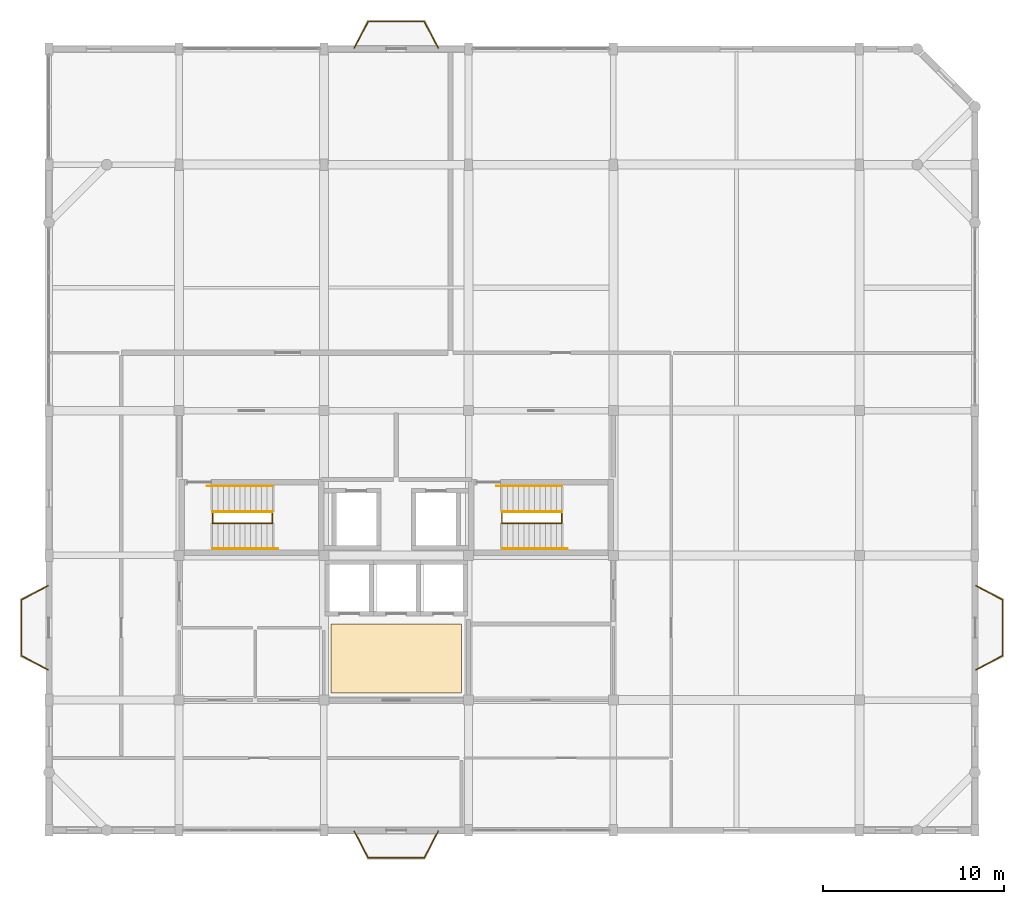
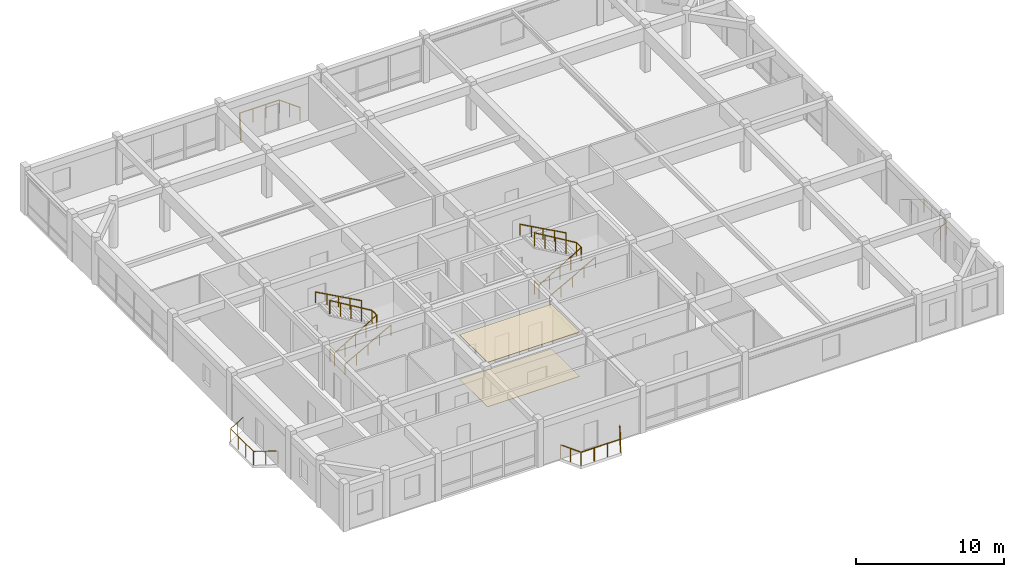
# One storey, part 13 of 13: 12 railings, 2 coverings.
"""IFC4 building model written with IfcOpenShell, lengths in metres."""

from ifc_helpers import new_model, si_unit, direction, frame, origin, origin_2d, place, context, subcontext, project, spatial, polyline, circle, outline, extrude, material, layer, layer_set, type_object, element, save


model = new_model("IFC4")

# Units and contexts
model_context = context("Model", 3, precision=1e-05, world=origin(), true_north=direction((0.0, 1.0)))
body_context = subcontext(model_context, "Body", "Model", "MODEL_VIEW")
ifc_project = project(units=[si_unit("LENGTHUNIT", "METRE"), si_unit("AREAUNIT", "SQUARE_METRE"), si_unit("VOLUMEUNIT", "CUBIC_METRE"), si_unit("PLANEANGLEUNIT", "RADIAN"), si_unit("MASSUNIT", "GRAM", prefix="KILO")], contexts=[model_context])

# Site, building, storey
site_placement = place(None, origin())
site = spatial("IfcSite", under=ifc_project, at=site_placement, CompositionType="ELEMENT")
building_placement = place(site_placement, origin())
building = spatial("IfcBuilding", under=site, at=building_placement, Name="Vellmiral Cinema and Media Centre", CompositionType="ELEMENT")
storey_placement = place(building_placement, frame((0.0, 0.0, 58.699951171875)))
storey = spatial("IfcBuildingStorey", under=building, at=storey_placement, Name="L14", CompositionType="ELEMENT", Elevation=58.699951171875)

# Coverings
ifc_material_1 = material(Name="Micro-Perforated Acoustic Gypsum Ceiling")
ifc_layer_1 = layer(ifc_material_1, 0.0400390625, Name="Micro-Perforated Acoustic Gypsum Ceiling")
ifc_layer_set_1 = layer_set([ifc_layer_1], Name="Micro-Perforated Acoustic Gypsum Ceiling")
covering_type_1 = type_object("IfcCoveringType", Name="COV-AC-CEILING", PredefinedType="CEILING", material=ifc_layer_set_1)
covering_1_placement = place(storey_placement, frame((0.0, 0.0, 3.670166015625)))
element("IfcCovering", 1, at=covering_1_placement, inside=storey, type_object=covering_type_1, Name="Acoustic Lobby Ceiling L14", PredefinedType="CEILING", context=body_context, shape_type="SweptSolid", body=[
    extrude(outline(polyline([(132.39990234375, 79.60009765625), (139.60009765625, 79.60009765625), (139.60009765625, 83.39990234375), (132.39990234375, 83.39990234375), (132.39990234375, 79.60009765625)])), origin(), (0.0, 0.0, 1.0), 0.039794921875),
])
ifc_material_2 = material(Name="Honed Terrazzo Acoustic Floor Finish")
ifc_layer_2 = layer(ifc_material_2, 0.030029296875, Name="Honed Terrazzo Acoustic Floor Finish")
ifc_layer_set_2 = layer_set([ifc_layer_2], Name="Honed Terrazzo Acoustic Floor Finish")
covering_type_2 = type_object("IfcCoveringType", Name="COV-TERR-FLOORING", PredefinedType="FLOORING", material=ifc_layer_set_2)
covering_2_placement = place(storey_placement, origin())
element("IfcCovering", 2, at=covering_2_placement, inside=storey, type_object=covering_type_2, Name="Terrazzo Lobby Flooring L14", PredefinedType="FLOORING", context=body_context, shape_type="SweptSolid", body=[
    extrude(outline(polyline([(132.39990234375, 79.60009765625), (139.60009765625, 79.60009765625), (139.60009765625, 83.39990234375), (132.39990234375, 83.39990234375), (132.39990234375, 79.60009765625)])), origin(), (0.0, 0.0, 1.0), 0.030029296875),
])

# Railings
ifc_material_3 = material(Name="Forged Wrought-Iron Mirador Guardrail", Category="steel")
railing_type_1 = type_object("IfcRailingType", Name="RL-BAL-MIRA-1120", PredefinedType="BALUSTRADE", material=ifc_material_3)
railing_1_placement = place(storey_placement, frame((168.050048828125, 80.8798828125, 0.0)))
element("IfcRailing", 3, at=railing_1_placement, inside=storey, type_object=railing_type_1, Name="Mirador Balcony Guardrail L14-E", PredefinedType="BALUSTRADE", context=body_context, shape_type="SweptSolid", body=[
    extrude(circle(Radius=0.02392578125, at=origin_2d()), frame((0.0, 0.0, 1.09619140625), z_axis=(0.885822896277, 0.464023486939, 0.0), x_axis=(-0.464023486939, 0.885822896277, 0.0)), (0.0, 0.0, 1.0), 1.659423828125),
    extrude(circle(Radius=0.02392578125, at=origin_2d()), frame((1.469970703125, 0.77001953125, 1.09619140625), z_axis=(0.0, 1.0, 0.0), x_axis=(-1.0, 0.0, 0.0)), (0.0, 0.0, 1.0), 3.10009765625),
    extrude(circle(Radius=0.02392578125, at=origin_2d()), frame((1.469970703125, 3.8701171875, 1.09619140625), z_axis=(-0.885822896277, 0.464023486939, 0.0), x_axis=(-0.464023486939, -0.885822896277, 0.0)), (0.0, 0.0, 1.0), 1.659423828125),
    extrude(circle(Radius=0.02099609375, at=origin_2d()), origin(), (0.0, 0.0, 1.0), 1.072021484375),
    extrude(circle(Radius=0.02099609375, at=origin_2d()), frame((0.73486328125, 0.385009765625, 0.0)), (0.0, 0.0, 1.0), 1.072021484375),
    extrude(circle(Radius=0.02099609375, at=origin_2d()), frame((1.469970703125, 0.77001953125, 0.0)), (0.0, 0.0, 1.0), 1.072021484375),
    extrude(circle(Radius=0.02099609375, at=origin_2d()), frame((1.469970703125, 1.803466796875, 0.0)), (0.0, 0.0, 1.0), 1.072021484375),
    extrude(circle(Radius=0.02099609375, at=origin_2d()), frame((1.469970703125, 2.836669921875, 0.0)), (0.0, 0.0, 1.0), 1.072021484375),
    extrude(circle(Radius=0.02099609375, at=origin_2d()), frame((1.469970703125, 3.8701171875, 0.0)), (0.0, 0.0, 1.0), 1.072021484375),
    extrude(circle(Radius=0.02099609375, at=origin_2d()), frame((0.73486328125, 4.255126953125, 0.0)), (0.0, 0.0, 1.0), 1.072021484375),
    extrude(circle(Radius=0.02099609375, at=origin_2d()), frame((0.0, 4.64013671875, 0.0)), (0.0, 0.0, 1.0), 1.072021484375),
])
railing_2_placement = place(storey_placement, frame((138.320068359375, 115.25, 0.0)))
element("IfcRailing", 4, at=railing_2_placement, inside=storey, type_object=railing_type_1, Name="Mirador Balcony Guardrail L14-N", PredefinedType="BALUSTRADE", context=body_context, shape_type="SweptSolid", body=[
    extrude(circle(Radius=0.02392578125, at=origin_2d()), frame((0.0, 0.0, 1.09619140625), z_axis=(-0.464023486939, 0.885822896277, 0.0), x_axis=(-0.885822896277, -0.464023486939, 0.0)), (0.0, 0.0, 1.0), 1.659423828125),
    extrude(circle(Radius=0.02392578125, at=origin_2d()), frame((-0.77001953125, 1.469970703125, 1.09619140625), z_axis=(-1.0, 0.0, 0.0), x_axis=(0.0, -1.0, 0.0)), (0.0, 0.0, 1.0), 3.10009765625),
    extrude(circle(Radius=0.02392578125, at=origin_2d()), frame((-3.8701171875, 1.469970703125, 1.09619140625), z_axis=(-0.464023486939, -0.885822896277, 0.0), x_axis=(0.885822896277, -0.464023486939, 0.0)), (0.0, 0.0, 1.0), 1.659423828125),
    extrude(circle(Radius=0.02099609375, at=origin_2d()), origin(), (0.0, 0.0, 1.0), 1.072021484375),
    extrude(circle(Radius=0.02099609375, at=origin_2d()), frame((-0.385009765625, 0.73486328125, 0.0)), (0.0, 0.0, 1.0), 1.072021484375),
    extrude(circle(Radius=0.02099609375, at=origin_2d()), frame((-0.77001953125, 1.469970703125, 0.0)), (0.0, 0.0, 1.0), 1.072021484375),
    extrude(circle(Radius=0.02099609375, at=origin_2d()), frame((-1.803466796875, 1.469970703125, 0.0)), (0.0, 0.0, 1.0), 1.072021484375),
    extrude(circle(Radius=0.02099609375, at=origin_2d()), frame((-2.836669921875, 1.469970703125, 0.0)), (0.0, 0.0, 1.0), 1.072021484375),
    extrude(circle(Radius=0.02099609375, at=origin_2d()), frame((-3.8701171875, 1.469970703125, 0.0)), (0.0, 0.0, 1.0), 1.072021484375),
    extrude(circle(Radius=0.02099609375, at=origin_2d()), frame((-4.255126953125, 0.73486328125, 0.0)), (0.0, 0.0, 1.0), 1.072021484375),
    extrude(circle(Radius=0.02099609375, at=origin_2d()), frame((-4.64013671875, 0.0, 0.0)), (0.0, 0.0, 1.0), 1.072021484375),
])
railing_3_placement = place(storey_placement, frame((116.75, 85.52001953125, 0.0)))
element("IfcRailing", 5, at=railing_3_placement, inside=storey, type_object=railing_type_1, Name="Mirador Balcony Guardrail L14-W", PredefinedType="BALUSTRADE", context=body_context, shape_type="SweptSolid", body=[
    extrude(circle(Radius=0.02392578125, at=origin_2d()), frame((0.0, 0.0, 1.09619140625), z_axis=(-0.885822896277, -0.464023486939, 0.0), x_axis=(0.464023486939, -0.885822896277, 0.0)), (0.0, 0.0, 1.0), 1.659423828125),
    extrude(circle(Radius=0.02392578125, at=origin_2d()), frame((-1.469970703125, -0.77001953125, 1.09619140625), z_axis=(0.0, -1.0, 0.0), x_axis=(1.0, 0.0, 0.0)), (0.0, 0.0, 1.0), 3.10009765625),
    extrude(circle(Radius=0.02392578125, at=origin_2d()), frame((-1.469970703125, -3.8701171875, 1.09619140625), z_axis=(0.885822896277, -0.464023486939, 0.0), x_axis=(0.464023486939, 0.885822896277, 0.0)), (0.0, 0.0, 1.0), 1.659423828125),
    extrude(circle(Radius=0.02099609375, at=origin_2d()), origin(), (0.0, 0.0, 1.0), 1.072021484375),
    extrude(circle(Radius=0.02099609375, at=origin_2d()), frame((-0.73486328125, -0.385009765625, 0.0)), (0.0, 0.0, 1.0), 1.072021484375),
    extrude(circle(Radius=0.02099609375, at=origin_2d()), frame((-1.469970703125, -0.77001953125, 0.0)), (0.0, 0.0, 1.0), 1.072021484375),
    extrude(circle(Radius=0.02099609375, at=origin_2d()), frame((-1.469970703125, -1.803466796875, 0.0)), (0.0, 0.0, 1.0), 1.072021484375),
    extrude(circle(Radius=0.02099609375, at=origin_2d()), frame((-1.469970703125, -2.836669921875, 0.0)), (0.0, 0.0, 1.0), 1.072021484375),
    extrude(circle(Radius=0.02099609375, at=origin_2d()), frame((-1.469970703125, -3.8701171875, 0.0)), (0.0, 0.0, 1.0), 1.072021484375),
    extrude(circle(Radius=0.02099609375, at=origin_2d()), frame((-0.73486328125, -4.255126953125, 0.0)), (0.0, 0.0, 1.0), 1.072021484375),
    extrude(circle(Radius=0.02099609375, at=origin_2d()), frame((0.0, -4.64013671875, 0.0)), (0.0, 0.0, 1.0), 1.072021484375),
])
railing_4_placement = place(storey_placement, frame((133.679931640625, 71.949951171875, 0.0)))
element("IfcRailing", 6, at=railing_4_placement, inside=storey, type_object=railing_type_1, Name="Mirador Balcony Guardrail L14-S", PredefinedType="BALUSTRADE", context=body_context, shape_type="SweptSolid", body=[
    extrude(circle(Radius=0.02392578125, at=origin_2d()), frame((0.0, 0.0, 1.09619140625), z_axis=(0.464023486939, -0.885822896277, 0.0), x_axis=(0.885822896277, 0.464023486939, 0.0)), (0.0, 0.0, 1.0), 1.659423828125),
    extrude(circle(Radius=0.02392578125, at=origin_2d()), frame((0.77001953125, -1.469970703125, 1.09619140625), z_axis=(1.0, 0.0, 0.0), x_axis=(0.0, 1.0, 0.0)), (0.0, 0.0, 1.0), 3.10009765625),
    extrude(circle(Radius=0.02392578125, at=origin_2d()), frame((3.8701171875, -1.469970703125, 1.09619140625), z_axis=(0.464023486939, 0.885822896277, 0.0), x_axis=(-0.885822896277, 0.464023486939, 0.0)), (0.0, 0.0, 1.0), 1.659423828125),
    extrude(circle(Radius=0.02099609375, at=origin_2d()), origin(), (0.0, 0.0, 1.0), 1.072021484375),
    extrude(circle(Radius=0.02099609375, at=origin_2d()), frame((0.385009765625, -0.73486328125, 0.0)), (0.0, 0.0, 1.0), 1.072021484375),
    extrude(circle(Radius=0.02099609375, at=origin_2d()), frame((0.77001953125, -1.469970703125, 0.0)), (0.0, 0.0, 1.0), 1.072021484375),
    extrude(circle(Radius=0.02099609375, at=origin_2d()), frame((1.803466796875, -1.469970703125, 0.0)), (0.0, 0.0, 1.0), 1.072021484375),
    extrude(circle(Radius=0.02099609375, at=origin_2d()), frame((2.836669921875, -1.469970703125, 0.0)), (0.0, 0.0, 1.0), 1.072021484375),
    extrude(circle(Radius=0.02099609375, at=origin_2d()), frame((3.8701171875, -1.469970703125, 0.0)), (0.0, 0.0, 1.0), 1.072021484375),
    extrude(circle(Radius=0.02099609375, at=origin_2d()), frame((4.255126953125, -0.73486328125, 0.0)), (0.0, 0.0, 1.0), 1.072021484375),
    extrude(circle(Radius=0.02099609375, at=origin_2d()), frame((4.64013671875, 0.0, 0.0)), (0.0, 0.0, 1.0), 1.072021484375),
])
ifc_material_4 = material(Name="Brushed Stainless Steel Handrail", Category="steel")
railing_type_2 = type_object("IfcRailingType", Name="RL-HANDRAIL-900", PredefinedType="HANDRAIL", material=ifc_material_4)
railing_5_placement = place(storey_placement, frame((125.85009765625, 87.56005859375, 0.16455078125)))
element("IfcRailing", 7, at=railing_5_placement, inside=storey, type_object=railing_type_2, Name="Stair Wall Handrail ST-T1 L14-1", PredefinedType="HANDRAIL", context=body_context, shape_type="SweptSolid", body=[
    extrude(circle(Radius=0.02392578125, at=origin_2d()), frame((0.0, 0.0, 0.8759765625), z_axis=(0.87671131034, 0.0, 0.481016921034), x_axis=(0.0, 1.0, 0.0)), (0.0, 0.0, 1.0), 4.106201171875),
    extrude(circle(Radius=0.02099609375, at=origin_2d()), origin(), (0.0, 0.0, 1.0), 0.851806640625),
    extrude(circle(Radius=0.02099609375, at=origin_2d()), frame((0.89990234375, 0.0, 0.49365234375)), (0.0, 0.0, 1.0), 0.851806640625),
    extrude(circle(Radius=0.02099609375, at=origin_2d()), frame((1.7998046875, 0.0, 0.987548828125)), (0.0, 0.0, 1.0), 0.851806640625),
    extrude(circle(Radius=0.02099609375, at=origin_2d()), frame((2.699951171875, 0.0, 1.4814453125)), (0.0, 0.0, 1.0), 0.851806640625),
    extrude(circle(Radius=0.02099609375, at=origin_2d()), frame((3.599853515625, 0.0, 1.97509765625)), (0.0, 0.0, 1.0), 0.851806640625),
])
railing_6_placement = place(storey_placement, frame((129.14990234375, 91.0400390625, 2.1396484375)))
element("IfcRailing", 8, at=railing_6_placement, inside=storey, type_object=railing_type_2, Name="Stair Wall Handrail ST-T1 L14-2", PredefinedType="HANDRAIL", context=body_context, shape_type="SweptSolid", body=[
    extrude(circle(Radius=0.02392578125, at=origin_2d()), frame((0.0, 0.0, 0.8759765625), z_axis=(-0.87671131034, 0.0, 0.481016921034), x_axis=(0.0, -1.0, 0.0)), (0.0, 0.0, 1.0), 4.106201171875),
    extrude(circle(Radius=0.02099609375, at=origin_2d()), origin(), (0.0, 0.0, 1.0), 0.851806640625),
    extrude(circle(Radius=0.02099609375, at=origin_2d()), frame((-0.89990234375, 0.0, 0.49365234375)), (0.0, 0.0, 1.0), 0.851806640625),
    extrude(circle(Radius=0.02099609375, at=origin_2d()), frame((-1.7998046875, 0.0, 0.987548828125)), (0.0, 0.0, 1.0), 0.851806640625),
    extrude(circle(Radius=0.02099609375, at=origin_2d()), frame((-2.699951171875, 0.0, 1.4814453125)), (0.0, 0.0, 1.0), 0.851806640625),
    extrude(circle(Radius=0.02099609375, at=origin_2d()), frame((-3.599853515625, 0.0, 1.97509765625)), (0.0, 0.0, 1.0), 0.851806640625),
])
railing_7_placement = place(storey_placement, frame((141.85009765625, 87.56005859375, 0.16455078125)))
element("IfcRailing", 9, at=railing_7_placement, inside=storey, type_object=railing_type_2, Name="Stair Wall Handrail ST-T2 L14-1", PredefinedType="HANDRAIL", context=body_context, shape_type="SweptSolid", body=[
    extrude(circle(Radius=0.02392578125, at=origin_2d()), frame((0.0, 0.0, 0.8759765625), z_axis=(0.87671131034, 0.0, 0.481016921034), x_axis=(0.0, 1.0, 0.0)), (0.0, 0.0, 1.0), 4.106201171875),
    extrude(circle(Radius=0.02099609375, at=origin_2d()), origin(), (0.0, 0.0, 1.0), 0.851806640625),
    extrude(circle(Radius=0.02099609375, at=origin_2d()), frame((0.89990234375, 0.0, 0.49365234375)), (0.0, 0.0, 1.0), 0.851806640625),
    extrude(circle(Radius=0.02099609375, at=origin_2d()), frame((1.7998046875, 0.0, 0.987548828125)), (0.0, 0.0, 1.0), 0.851806640625),
    extrude(circle(Radius=0.02099609375, at=origin_2d()), frame((2.699951171875, 0.0, 1.4814453125)), (0.0, 0.0, 1.0), 0.851806640625),
    extrude(circle(Radius=0.02099609375, at=origin_2d()), frame((3.599853515625, 0.0, 1.97509765625)), (0.0, 0.0, 1.0), 0.851806640625),
])
railing_8_placement = place(storey_placement, frame((145.14990234375, 91.0400390625, 2.1396484375)))
element("IfcRailing", 10, at=railing_8_placement, inside=storey, type_object=railing_type_2, Name="Stair Wall Handrail ST-T2 L14-2", PredefinedType="HANDRAIL", context=body_context, shape_type="SweptSolid", body=[
    extrude(circle(Radius=0.02392578125, at=origin_2d()), frame((0.0, 0.0, 0.8759765625), z_axis=(-0.87671131034, 0.0, 0.481016921034), x_axis=(0.0, -1.0, 0.0)), (0.0, 0.0, 1.0), 4.106201171875),
    extrude(circle(Radius=0.02099609375, at=origin_2d()), origin(), (0.0, 0.0, 1.0), 0.851806640625),
    extrude(circle(Radius=0.02099609375, at=origin_2d()), frame((-0.89990234375, 0.0, 0.49365234375)), (0.0, 0.0, 1.0), 0.851806640625),
    extrude(circle(Radius=0.02099609375, at=origin_2d()), frame((-1.7998046875, 0.0, 0.987548828125)), (0.0, 0.0, 1.0), 0.851806640625),
    extrude(circle(Radius=0.02099609375, at=origin_2d()), frame((-2.699951171875, 0.0, 1.4814453125)), (0.0, 0.0, 1.0), 0.851806640625),
    extrude(circle(Radius=0.02099609375, at=origin_2d()), frame((-3.599853515625, 0.0, 1.97509765625)), (0.0, 0.0, 1.0), 0.851806640625),
])
ifc_material_5 = material(Name="Painted Steel Stair Guardrail", Category="steel")
railing_type_3 = type_object("IfcRailingType", Name="RL-STAIR-GUARD-1120", PredefinedType="GUARDRAIL", material=ifc_material_5)
railing_9_placement = place(storey_placement, frame((125.85009765625, 89.580078125, 0.0)))
element("IfcRailing", 11, at=railing_9_placement, inside=storey, type_object=railing_type_3, Name="Stair Well Guard ST-T1 L14-A", PredefinedType="GUARDRAIL", context=body_context, shape_type="SweptSolid", body=[
    extrude(circle(Radius=0.02392578125, at=origin_2d()), frame((0.0, 0.0, 1.09619140625), z_axis=(0.0, -1.0, 0.0), x_axis=(1.0, 0.0, 0.0)), (0.0, 0.0, 1.0), 0.60009765625),
    extrude(circle(Radius=0.02392578125, at=origin_2d()), frame((0.0, -0.60009765625, 1.09619140625), z_axis=(0.858041382162, 0.0, 0.513580555023), x_axis=(0.0, 1.0, 0.0)), (0.0, 0.0, 1.0), 3.845703125),
    extrude(circle(Radius=0.02392578125, at=origin_2d()), frame((3.2998046875, -0.60009765625, 3.0712890625), z_axis=(0.0, 1.0, 0.0), x_axis=(-1.0, 0.0, 0.0)), (0.0, 0.0, 1.0), 0.64013671875),
    extrude(circle(Radius=0.02099609375, at=origin_2d()), origin(), (0.0, 0.0, 1.0), 1.072021484375),
    extrude(circle(Radius=0.02099609375, at=origin_2d()), frame((0.0, -0.60009765625, 0.0)), (0.0, 0.0, 1.0), 1.072021484375),
    extrude(circle(Radius=0.02099609375, at=origin_2d()), frame((0.824951171875, -0.60009765625, 0.49365234375)), (0.0, 0.0, 1.0), 1.072021484375),
    extrude(circle(Radius=0.02099609375, at=origin_2d()), frame((1.64990234375, -0.60009765625, 0.987548828125)), (0.0, 0.0, 1.0), 1.072021484375),
    extrude(circle(Radius=0.02099609375, at=origin_2d()), frame((2.474853515625, -0.60009765625, 1.4814453125)), (0.0, 0.0, 1.0), 1.072021484375),
    extrude(circle(Radius=0.02099609375, at=origin_2d()), frame((3.2998046875, -0.60009765625, 1.97509765625)), (0.0, 0.0, 1.0), 1.072021484375),
    extrude(circle(Radius=0.02099609375, at=origin_2d()), frame((3.2998046875, 0.0400390625, 1.97509765625)), (0.0, 0.0, 1.0), 1.072021484375),
])
railing_10_placement = place(storey_placement, frame((129.14990234375, 89.6201171875, 1.97509765625)))
element("IfcRailing", 12, at=railing_10_placement, inside=storey, type_object=railing_type_3, Name="Stair Well Guard ST-T1 L14-B", PredefinedType="GUARDRAIL", context=body_context, shape_type="SweptSolid", body=[
    extrude(circle(Radius=0.02392578125, at=origin_2d()), frame((0.0, 0.0, 1.09619140625), z_axis=(-0.858069357237, 0.0, 0.513533814049), x_axis=(0.0, -1.0, 0.0)), (0.0, 0.0, 1.0), 3.845703125),
    extrude(circle(Radius=0.02099609375, at=origin_2d()), origin(), (0.0, 0.0, 1.0), 1.072021484375),
    extrude(circle(Radius=0.02099609375, at=origin_2d()), frame((-0.824951171875, 0.0, 0.49365234375)), (0.0, 0.0, 1.0), 1.072021484375),
    extrude(circle(Radius=0.02099609375, at=origin_2d()), frame((-1.64990234375, 0.0, 0.9873046875)), (0.0, 0.0, 1.0), 1.072021484375),
    extrude(circle(Radius=0.02099609375, at=origin_2d()), frame((-2.474853515625, 0.0, 1.481201171875)), (0.0, 0.0, 1.0), 1.072021484375),
    extrude(circle(Radius=0.02099609375, at=origin_2d()), frame((-3.2998046875, 0.0, 1.974853515625)), (0.0, 0.0, 1.0), 1.072021484375),
])
railing_11_placement = place(storey_placement, frame((141.85009765625, 89.580078125, 0.0)))
element("IfcRailing", 13, at=railing_11_placement, inside=storey, type_object=railing_type_3, Name="Stair Well Guard ST-T2 L14-A", PredefinedType="GUARDRAIL", context=body_context, shape_type="SweptSolid", body=[
    extrude(circle(Radius=0.02392578125, at=origin_2d()), frame((0.0, 0.0, 1.09619140625), z_axis=(0.0, -1.0, 0.0), x_axis=(1.0, 0.0, 0.0)), (0.0, 0.0, 1.0), 0.60009765625),
    extrude(circle(Radius=0.02392578125, at=origin_2d()), frame((0.0, -0.60009765625, 1.09619140625), z_axis=(0.858041382162, 0.0, 0.513580555023), x_axis=(0.0, 1.0, 0.0)), (0.0, 0.0, 1.0), 3.845703125),
    extrude(circle(Radius=0.02392578125, at=origin_2d()), frame((3.2998046875, -0.60009765625, 3.0712890625), z_axis=(0.0, 1.0, 0.0), x_axis=(-1.0, 0.0, 0.0)), (0.0, 0.0, 1.0), 0.64013671875),
    extrude(circle(Radius=0.02099609375, at=origin_2d()), origin(), (0.0, 0.0, 1.0), 1.072021484375),
    extrude(circle(Radius=0.02099609375, at=origin_2d()), frame((0.0, -0.60009765625, 0.0)), (0.0, 0.0, 1.0), 1.072021484375),
    extrude(circle(Radius=0.02099609375, at=origin_2d()), frame((0.824951171875, -0.60009765625, 0.49365234375)), (0.0, 0.0, 1.0), 1.072021484375),
    extrude(circle(Radius=0.02099609375, at=origin_2d()), frame((1.64990234375, -0.60009765625, 0.987548828125)), (0.0, 0.0, 1.0), 1.072021484375),
    extrude(circle(Radius=0.02099609375, at=origin_2d()), frame((2.474853515625, -0.60009765625, 1.4814453125)), (0.0, 0.0, 1.0), 1.072021484375),
    extrude(circle(Radius=0.02099609375, at=origin_2d()), frame((3.2998046875, -0.60009765625, 1.97509765625)), (0.0, 0.0, 1.0), 1.072021484375),
    extrude(circle(Radius=0.02099609375, at=origin_2d()), frame((3.2998046875, 0.0400390625, 1.97509765625)), (0.0, 0.0, 1.0), 1.072021484375),
])
railing_12_placement = place(storey_placement, frame((145.14990234375, 89.6201171875, 1.97509765625)))
element("IfcRailing", 14, at=railing_12_placement, inside=storey, type_object=railing_type_3, Name="Stair Well Guard ST-T2 L14-B", PredefinedType="GUARDRAIL", context=body_context, shape_type="SweptSolid", body=[
    extrude(circle(Radius=0.02392578125, at=origin_2d()), frame((0.0, 0.0, 1.09619140625), z_axis=(-0.858069357237, 0.0, 0.513533814049), x_axis=(0.0, -1.0, 0.0)), (0.0, 0.0, 1.0), 3.845703125),
    extrude(circle(Radius=0.02099609375, at=origin_2d()), origin(), (0.0, 0.0, 1.0), 1.072021484375),
    extrude(circle(Radius=0.02099609375, at=origin_2d()), frame((-0.824951171875, 0.0, 0.49365234375)), (0.0, 0.0, 1.0), 1.072021484375),
    extrude(circle(Radius=0.02099609375, at=origin_2d()), frame((-1.64990234375, 0.0, 0.9873046875)), (0.0, 0.0, 1.0), 1.072021484375),
    extrude(circle(Radius=0.02099609375, at=origin_2d()), frame((-2.474853515625, 0.0, 1.481201171875)), (0.0, 0.0, 1.0), 1.072021484375),
    extrude(circle(Radius=0.02099609375, at=origin_2d()), frame((-3.2998046875, 0.0, 1.974853515625)), (0.0, 0.0, 1.0), 1.072021484375),
])

save(model, "model.ifc")
